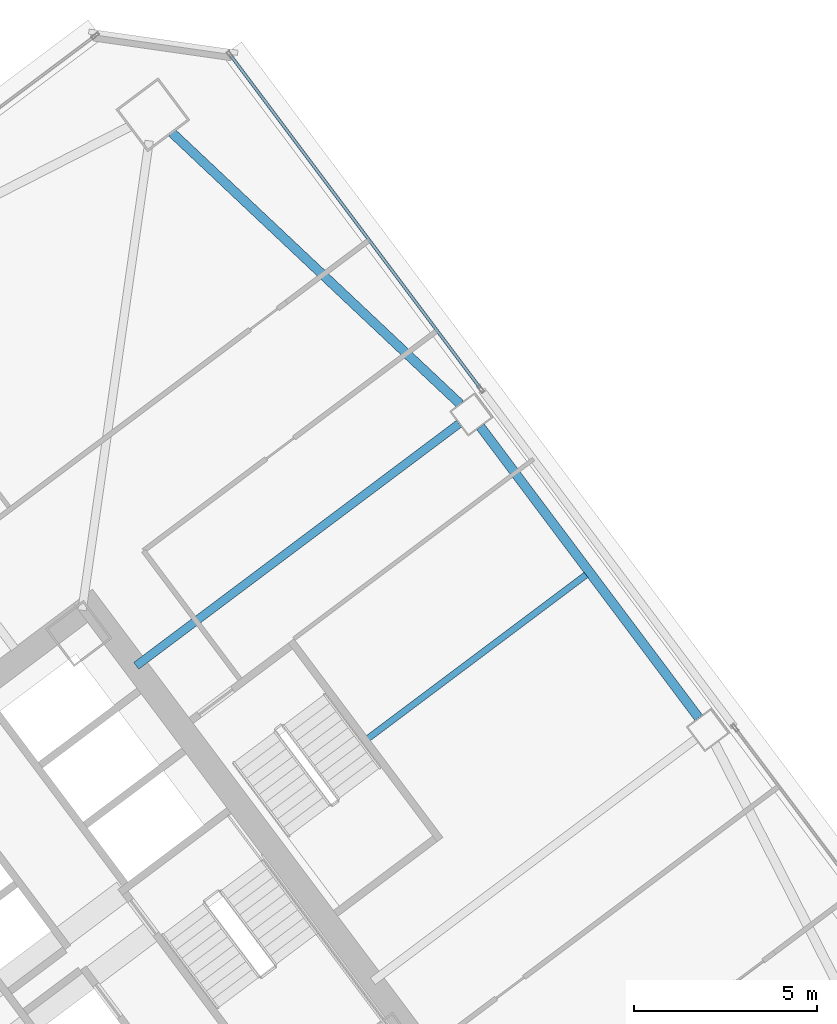
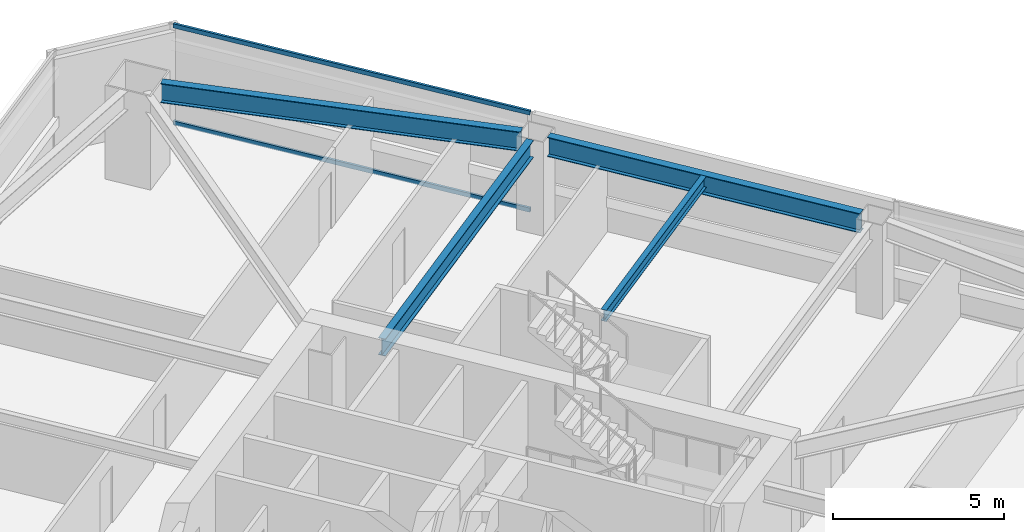
# One storey, part 30 of 44: 4 beams, 2 members, 1 element without a shape of its own.
"""IFC4 building model written with IfcOpenShell, lengths in metres."""

from ifc_helpers import new_model, si_unit, direction, frame, origin, origin_2d, place, context, subcontext, project, spatial, hollow_rectangle, i_section, extrude, material, material_profile, profile_set, type_object, element, aggregate, save


model = new_model("IFC4")

# Units and contexts
model_context = context("Model", 3, precision=1e-05, world=origin(), true_north=direction((0.0, 1.0)))
body_context = subcontext(model_context, "Body", "Model", "MODEL_VIEW")
ifc_project = project(units=[si_unit("LENGTHUNIT", "METRE"), si_unit("AREAUNIT", "SQUARE_METRE"), si_unit("VOLUMEUNIT", "CUBIC_METRE"), si_unit("PLANEANGLEUNIT", "RADIAN"), si_unit("MASSUNIT", "GRAM", prefix="KILO")], contexts=[model_context])

# Site, building, storey
site_placement = place(None, origin())
site = spatial("IfcSite", under=ifc_project, at=site_placement, CompositionType="ELEMENT")
building_placement = place(site_placement, origin())
building = spatial("IfcBuilding", under=site, at=building_placement, Name="Tashvorn Skyway Center", CompositionType="ELEMENT")
storey_placement = place(building_placement, frame((0.0, 0.0, 102.699951171875)))
storey = spatial("IfcBuildingStorey", under=building, at=storey_placement, Name="L27", CompositionType="ELEMENT", Elevation=102.699951171875)

# Beams
ifc_material_1 = material(Name="Steel ASTM A992 Grade 50", Category="steel")
ifc_material_profile_1 = material_profile(ifc_material_1, i_section(OverallWidth=0.22998046875, OverallDepth=0.616943359375, WebThickness=0.01318359375, FlangeThickness=0.022216796875, at=origin_2d()), Name="W24X94")
ifc_profile_set_1 = profile_set([ifc_material_profile_1], Name="Steel ASTM A992 Grade 50")
beam_type_1 = type_object("IfcBeamType", Name="BM-BEAM-W24X94", PredefinedType="BEAM", material=ifc_profile_set_1)
beam_1_placement = place(storey_placement, frame((125.823974609375, 47.617919921875, 3.04150390625), z_axis=(-0.800007953832, -0.599989394744, 0.0), x_axis=(0.599989394744, -0.800007953832, 0.0)))
element("IfcBeam", 1, at=beam_1_placement, inside=storey, type_object=beam_type_1, Name="Tower 2 L27 Primary Floor Girder FC-E2", PredefinedType="BEAM", context=body_context, shape_type="SweptSolid", body=[
    extrude(i_section(OverallWidth=0.22998046875, OverallDepth=0.616943359375, WebThickness=0.01318359375, FlangeThickness=0.022216796875, at=origin_2d()), origin(), (0.0, 0.0, 1.0), 11.050048828125),
])
ifc_material_profile_2 = material_profile(ifc_material_1, i_section(OverallWidth=0.177978515625, OverallDepth=0.406005859375, WebThickness=0.0078125, FlangeThickness=0.0126953125, at=origin_2d()), Name="W16X40")
ifc_profile_set_2 = profile_set([ifc_material_profile_2], Name="Steel ASTM A992 Grade 50")
beam_type_2 = type_object("IfcBeamType", Name="BM-JOIST-W16X40", PredefinedType="JOIST", material=ifc_profile_set_2)
beam_2_placement = place(storey_placement, frame((123.3359375, 39.001953125, 3.14697265625), z_axis=(0.799996072819, 0.600005236206, 0.0), x_axis=(-0.600005236206, 0.799996072819, 0.0)))
element("IfcBeam", 2, at=beam_2_placement, inside=storey, type_object=beam_type_2, Name="Tower 2 L27 Secondary Composite Joist JE", PredefinedType="JOIST", context=body_context, shape_type="SweptSolid", body=[
    extrude(i_section(OverallWidth=0.177978515625, OverallDepth=0.406005859375, WebThickness=0.0078125, FlangeThickness=0.0126953125, at=origin_2d()), origin(), (0.0, 0.0, 1.0), 7.4599609375),
])
ifc_material_profile_3 = material_profile(ifc_material_1, i_section(OverallWidth=0.256103515625, OverallDepth=0.693115234375, WebThickness=0.014404296875, FlangeThickness=0.023681640625, at=origin_2d()), Name="W27X114")
ifc_profile_set_3 = profile_set([ifc_material_profile_3], Name="Steel ASTM A992 Grade 50")
beam_type_3 = type_object("IfcBeamType", Name="BM-SPANDREL-W27X114", PredefinedType="SPANDREL", material=ifc_profile_set_3)
beam_3_placement = place(storey_placement, frame((132.387939453125, 39.56591796875, 3.003662109375), z_axis=(-0.599988234018, 0.800008824351, 0.0), x_axis=(-0.800008824351, -0.599988234018, 0.0)))
element("IfcBeam", 3, at=beam_3_placement, inside=storey, type_object=beam_type_3, Name="Tower 2 L27 Spandrel Beam 05", PredefinedType="SPANDREL", context=body_context, shape_type="SweptSolid", body=[
    extrude(i_section(OverallWidth=0.256103515625, OverallDepth=0.693115234375, WebThickness=0.014404296875, FlangeThickness=0.023681640625, at=origin_2d()), origin(), (0.0, 0.0, 1.0), 9.9599609375),
])
beam_4_placement = place(storey_placement, frame((125.854248046875, 48.157958984375, 3.003662109375), z_axis=(-0.728086883893, 0.685484857238, 0.0), x_axis=(-0.685484857238, -0.728086883893, 0.0)))
element("IfcBeam", 4, at=beam_4_placement, inside=storey, type_object=beam_type_3, Name="Tower 2 L27 Spandrel Beam 06", PredefinedType="SPANDREL", context=body_context, shape_type="SweptSolid", body=[
    extrude(i_section(OverallWidth=0.256103515625, OverallDepth=0.693115234375, WebThickness=0.014404296875, FlangeThickness=0.023681640625, at=origin_2d()), origin(), (0.0, 0.0, 1.0), 10.8369140625),
])

# Curtain wall, members
ifc_material_2 = material(Name="Thermally broken bronze-anodized aluminium 6063-T6", Category="aluminium")
curtain_wall_type = type_object("IfcCurtainWallType", Name="CW-CW-Z2", PredefinedType="NOTDEFINED", material=ifc_material_2)
curtain_wall_placement = place(storey_placement, origin())
curtain_wall = element("IfcCurtainWall", 5, at=curtain_wall_placement, inside=storey, type_object=curtain_wall_type, Name="Tower 2 L27 East Unitised Curtain Wall Glazing Group 1", PredefinedType="NOTDEFINED")
ifc_material_profile_4 = material_profile(ifc_material_2, hollow_rectangle(XDim=0.080078125, YDim=0.14990234375, WallThickness=0.00439453125, at=origin_2d()), Name="ALU-TRAN-80x150")
ifc_profile_set_4 = profile_set([ifc_material_profile_4], Name="Thermally broken bronze-anodized aluminium 6063-T6")
member_type = type_object("IfcMemberType", Name="CWT-CW-Z2", PredefinedType="USERDEFINED", material=ifc_profile_set_4)
member_1_placement = place(storey_placement, frame((119.583984375, 57.68798828125, 0.0400390625), z_axis=(0.6, -0.8, 0.0), x_axis=(0.8, 0.6, 0.0)))
member_1 = element("IfcMember", 6, at=member_1_placement, type_object=member_type, Name="CW-Z2 transom 1.1", ObjectType="TRANSOM", PredefinedType="USERDEFINED", context=body_context, shape_type="SweptSolid", body=[
    extrude(hollow_rectangle(XDim=0.080078125, YDim=0.14990234375, WallThickness=0.00439453125, at=origin_2d()), origin(), (0.0, 0.0, 1.0), 11.35986328125),
])
member_2_placement = place(storey_placement, frame((119.583984375, 57.68798828125, 3.510009765625), z_axis=(0.6, -0.8, 0.0), x_axis=(0.8, 0.6, 0.0)))
member_2 = element("IfcMember", 7, at=member_2_placement, type_object=member_type, Name="CW-Z2 transom 1.2", ObjectType="TRANSOM", PredefinedType="USERDEFINED", context=body_context, shape_type="SweptSolid", body=[
    extrude(hollow_rectangle(XDim=0.080078125, YDim=0.14990234375, WallThickness=0.00439453125, at=origin_2d()), origin(), (0.0, 0.0, 1.0), 11.35986328125),
])
aggregate(curtain_wall, [member_1, member_2])

save(model, "model.ifc")
